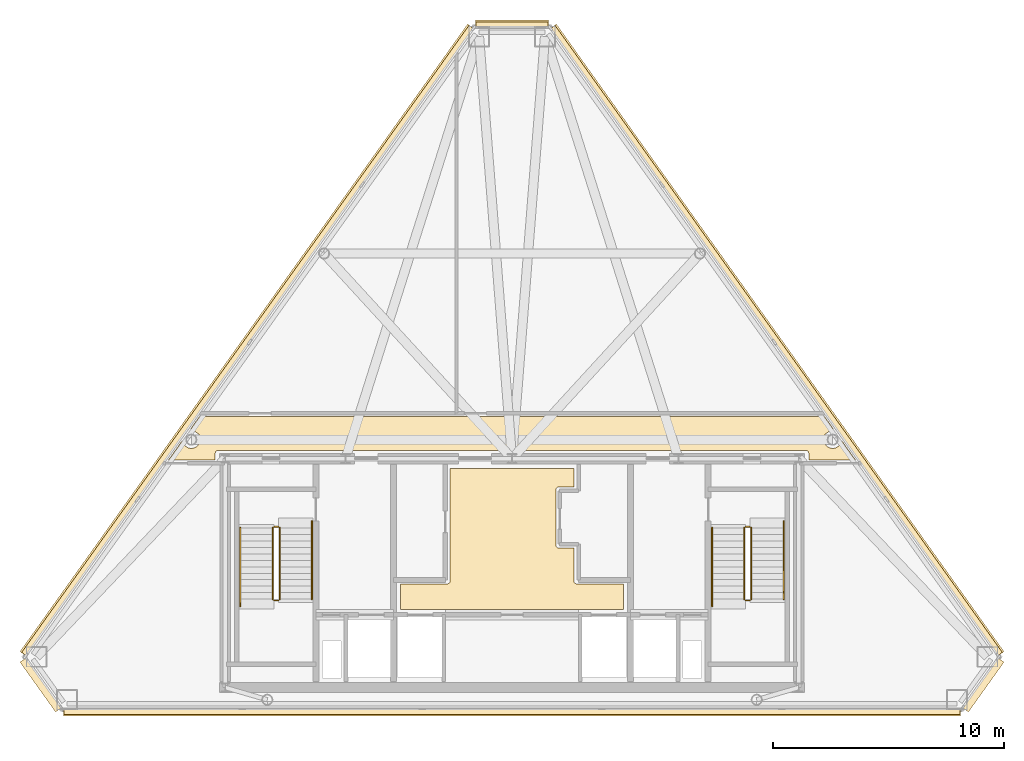
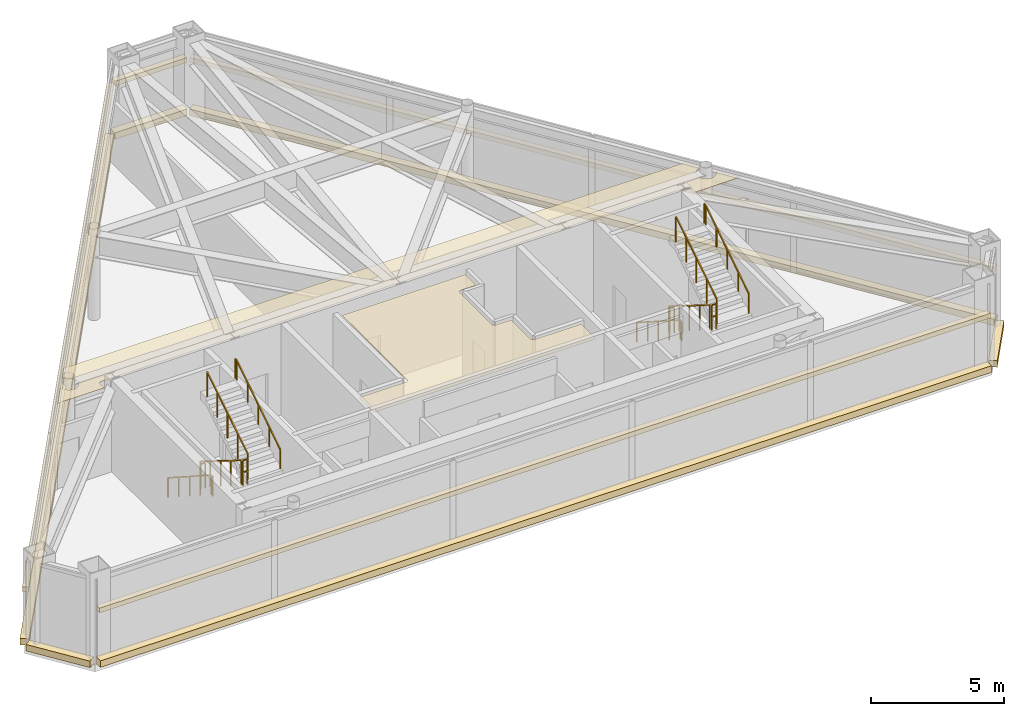
# One storey, part 5 of 5: 12 coverings, 12 railings.
"""IFC4 building model written with IfcOpenShell, lengths in metres."""

from ifc_helpers import new_model, si_unit, direction, frame, origin, origin_2d, place, context, subcontext, project, spatial, polyline, rectangle, outline, extrude, material, layer, layer_set, type_object, element, save


model = new_model("IFC4")

# Units and contexts
model_context = context("Model", 3, precision=1e-05, world=origin(), true_north=direction((0.0, 1.0)))
body_context = subcontext(model_context, "Body", "Model", "MODEL_VIEW")
ifc_project = project(units=[si_unit("LENGTHUNIT", "METRE"), si_unit("AREAUNIT", "SQUARE_METRE"), si_unit("VOLUMEUNIT", "CUBIC_METRE"), si_unit("PLANEANGLEUNIT", "RADIAN"), si_unit("MASSUNIT", "GRAM", prefix="KILO")], contexts=[model_context])

# Site, building, storey
site_placement = place(None, origin())
site = spatial("IfcSite", under=ifc_project, at=site_placement, CompositionType="ELEMENT")
building_placement = place(site_placement, origin())
building = spatial("IfcBuilding", under=site, at=building_placement, Name="Talgorran Terracotta Tower", CompositionType="ELEMENT")
storey_placement = place(building_placement, frame((0.0, 0.0, 297.60009765625)))
storey = spatial("IfcBuildingStorey", under=building, at=storey_placement, Name="L78", CompositionType="ELEMENT", Elevation=297.60009765625)

# Coverings
ifc_material_1 = material(Name="Kiln-Fired Terracotta Ochre Ceramic", Category="masonry")
ifc_layer_1 = layer(ifc_material_1, 0.179931640625, Name="COV_BAGUETTE_TERRACOTTA_SCREEN")
ifc_layer_set_1 = layer_set([ifc_layer_1], Name="Kiln-Fired Terracotta Ochre Ceramic")
covering_type_1 = type_object("IfcCoveringType", Name="COV_BAGUETTE_TERRACOTTA_SCREEN", PredefinedType="CLADDING", material=ifc_layer_set_1)
covering_1_placement = place(storey_placement, frame((0.0, -15.1298828125, 2.41015625), z_axis=(0.0, 0.0, 1.0), x_axis=(1.0, 0.0, 0.0)))
element("IfcCovering", 1, at=covering_1_placement, inside=storey, type_object=covering_type_1, Name="L78 Terracotta Baguette Solar Screen Assembly F1", PredefinedType="CLADDING", context=body_context, shape_type="SweptSolid", body=[
    extrude(rectangle(XDim=38.758056640625, YDim=0.260009765625, at=origin_2d()), origin(), (0.0, 0.0, 1.0), 0.219970703125),
])
covering_2_placement = place(storey_placement, frame((11.4267578125, 0.898193359375, 2.41015625), z_axis=(0.0, 0.0, 1.0), x_axis=(-0.580759790281, 0.814074975658, 0.0)))
element("IfcCovering", 2, at=covering_2_placement, inside=storey, type_object=covering_type_1, Name="L78 Terracotta Baguette Solar Screen Assembly F3", PredefinedType="CLADDING", context=body_context, shape_type="SweptSolid", body=[
    extrude(rectangle(XDim=33.30810546875, YDim=0.260009765625, at=origin_2d()), origin(), (0.0, 0.0, 1.0), 0.219970703125),
])
covering_3_placement = place(storey_placement, frame((0.0, 14.5546875, 2.41015625), z_axis=(0.0, 0.0, 1.0), x_axis=(-1.0, 0.0, 0.0)))
element("IfcCovering", 3, at=covering_3_placement, inside=storey, type_object=covering_type_1, Name="L78 Terracotta Baguette Solar Screen Assembly F4", PredefinedType="CLADDING", context=body_context, shape_type="SweptSolid", body=[
    extrude(rectangle(XDim=3.12548828125, YDim=0.260009765625, at=origin_2d()), origin(), (0.0, 0.0, 1.0), 0.219970703125),
])
covering_4_placement = place(storey_placement, frame((-11.4267578125, 0.898193359375, 2.41015625), z_axis=(0.0, 0.0, 1.0), x_axis=(-0.580759790281, -0.814074975658, 0.0)))
element("IfcCovering", 4, at=covering_4_placement, inside=storey, type_object=covering_type_1, Name="L78 Terracotta Baguette Solar Screen Assembly F5", PredefinedType="CLADDING", context=body_context, shape_type="SweptSolid", body=[
    extrude(rectangle(XDim=33.30810546875, YDim=0.260009765625, at=origin_2d()), origin(), (0.0, 0.0, 1.0), 0.219970703125),
])
ifc_material_2 = material(Name="Mineral Fibre Acoustic Tile")
ifc_layer_2 = layer(ifc_material_2, 0.02490234375, Name="COV_CEIL_ACOUSTIC")
ifc_layer_set_2 = layer_set([ifc_layer_2], Name="Mineral Fibre Acoustic Tile")
covering_type_2 = type_object("IfcCoveringType", Name="COV_CEIL_ACOUSTIC", PredefinedType="CEILING", material=ifc_layer_set_2)
covering_5_placement = place(storey_placement, frame((0.0, 0.0, 3.789794921875)))
element("IfcCovering", 5, at=covering_5_placement, inside=storey, type_object=covering_type_2, Name="CEIL-L78-2", PredefinedType="CEILING", context=body_context, shape_type="SweptSolid", body=[
    extrude(outline(polyline([(-13.5185546875, -3.23828125), (-13.517822265625, -3.2294921875), (-13.51806640625, -3.2177734375), (-13.519287109375, -3.2060546875), (-13.52197265625, -3.194580078125), (-13.525634765625, -3.183349609375), (-13.5302734375, -3.172607421875), (-13.535888671875, -3.162109375), (-13.542724609375, -3.152587890625), (-13.55029296875, -3.1435546875), (-13.558837890625, -3.135498046875), (-13.568115234375, -3.128173828125), (-13.885498046875, -2.901611328125), (-13.51708984375, -2.385009765625), (13.51708984375, -2.385009765625), (13.885498046875, -2.901611328125), (13.568115234375, -3.128173828125), (13.558837890625, -3.135498046875), (13.55029296875, -3.1435546875), (13.542724609375, -3.152587890625), (13.535888671875, -3.162109375), (13.5302734375, -3.172607421875), (13.525634765625, -3.183349609375), (13.52197265625, -3.194580078125), (13.519287109375, -3.2060546875), (13.51806640625, -3.2177734375), (13.517822265625, -3.2294921875), (13.5185546875, -3.23828125), (13.51806640625, -3.239501953125), (13.51416015625, -3.250732421875), (13.51123046875, -3.26220703125), (13.491455078125, -3.361083984375), (13.48974609375, -3.37255859375), (13.4892578125, -3.384521484375), (13.48974609375, -3.396240234375), (13.491455078125, -3.40771484375), (13.51123046875, -3.506591796875), (13.51416015625, -3.51806640625), (13.51806640625, -3.529296875), (13.523193359375, -3.539794921875), (13.529052734375, -3.5498046875), (13.585205078125, -3.6337890625), (13.592041015625, -3.643310546875), (13.60009765625, -3.652099609375), (13.60888671875, -3.659912109375), (13.618408203125, -3.6669921875), (13.7021484375, -3.722900390625), (13.71240234375, -3.72900390625), (13.722900390625, -3.734130859375), (13.73388671875, -3.738037109375), (13.745361328125, -3.740966796875), (13.84423828125, -3.760498046875), (13.85595703125, -3.76220703125), (13.86767578125, -3.762939453125), (13.87939453125, -3.76220703125), (13.89111328125, -3.760498046875), (13.989990234375, -3.740966796875), (14.00146484375, -3.738037109375), (14.012451171875, -3.734130859375), (14.023193359375, -3.72900390625), (14.033203125, -3.722900390625), (14.1171875, -3.6669921875), (14.126708984375, -3.659912109375), (14.135498046875, -3.652099609375), (14.143310546875, -3.643310546875), (14.150390625, -3.6337890625), (14.206298828125, -3.5498046875), (14.21240234375, -3.539794921875), (14.21728515625, -3.529296875), (14.22119140625, -3.51806640625), (14.22412109375, -3.506591796875), (14.226806640625, -3.493408203125), (14.280517578125, -3.455078125), (14.8583984375, -4.264892578125), (12.8349609375, -4.264892578125), (12.8349609375, -3.978515625), (12.834228515625, -3.966796875), (12.83251953125, -3.955078125), (12.829833984375, -3.94384765625), (12.82568359375, -3.9326171875), (12.822509765625, -3.9248046875), (12.817626953125, -3.914306640625), (12.8115234375, -3.904296875), (12.8046875, -3.894775390625), (12.797119140625, -3.88623046875), (12.788330078125, -3.87841796875), (12.779052734375, -3.871337890625), (12.77197265625, -3.866455078125), (12.76171875, -3.860107421875), (12.7509765625, -3.85498046875), (12.73974609375, -3.850830078125), (12.728271484375, -3.847900390625), (12.71630859375, -3.84619140625), (12.704345703125, -3.845703125), (7.432861328125, -3.844970703125), (6.968017578125, -3.843017578125), (6.967529296875, -3.843017578125), (0.232666015625, -3.844970703125), (-0.23193359375, -3.843017578125), (-0.232421875, -3.843017578125), (-6.96728515625, -3.844970703125), (-7.431884765625, -3.843017578125), (-7.4326171875, -3.843017578125), (-12.699951171875, -3.844970703125), (-12.711669921875, -3.845703125), (-12.723388671875, -3.847412109375), (-12.734619140625, -3.85009765625), (-12.742919921875, -3.8525390625), (-12.75390625, -3.8564453125), (-12.7646484375, -3.861572265625), (-12.77490234375, -3.86767578125), (-12.7841796875, -3.87451171875), (-12.79296875, -3.882568359375), (-12.80078125, -3.89111328125), (-12.806396484375, -3.89794921875), (-12.813720703125, -3.907470703125), (-12.819580078125, -3.91748046875), (-12.82470703125, -3.927978515625), (-12.82861328125, -3.939208984375), (-12.83154296875, -3.95068359375), (-12.833251953125, -3.962158203125), (-12.833984375, -3.97412109375), (-12.834716796875, -4.264892578125), (-14.8583984375, -4.264892578125), (-14.280517578125, -3.455078125), (-14.226806640625, -3.493408203125), (-14.22412109375, -3.506591796875), (-14.22119140625, -3.51806640625), (-14.21728515625, -3.529296875), (-14.21240234375, -3.539794921875), (-14.206298828125, -3.5498046875), (-14.150390625, -3.6337890625), (-14.143310546875, -3.643310546875), (-14.135498046875, -3.652099609375), (-14.126708984375, -3.659912109375), (-14.1171875, -3.6669921875), (-14.033203125, -3.722900390625), (-14.023193359375, -3.72900390625), (-14.012451171875, -3.734130859375), (-14.00146484375, -3.738037109375), (-13.989990234375, -3.740966796875), (-13.89111328125, -3.760498046875), (-13.87939453125, -3.76220703125), (-13.86767578125, -3.762939453125), (-13.85595703125, -3.76220703125), (-13.84423828125, -3.760498046875), (-13.745361328125, -3.740966796875), (-13.73388671875, -3.738037109375), (-13.722900390625, -3.734130859375), (-13.71240234375, -3.72900390625), (-13.7021484375, -3.722900390625), (-13.618408203125, -3.6669921875), (-13.60888671875, -3.659912109375), (-13.60009765625, -3.652099609375), (-13.592041015625, -3.643310546875), (-13.585205078125, -3.6337890625), (-13.529052734375, -3.5498046875), (-13.523193359375, -3.539794921875), (-13.51806640625, -3.529296875), (-13.51416015625, -3.51806640625), (-13.51123046875, -3.506591796875), (-13.491455078125, -3.40771484375), (-13.48974609375, -3.396240234375), (-13.4892578125, -3.384521484375), (-13.48974609375, -3.37255859375), (-13.491455078125, -3.361083984375), (-13.51123046875, -3.26220703125), (-13.51416015625, -3.250732421875), (-13.51806640625, -3.239501953125), (-13.5185546875, -3.23828125)])), origin(), (0.0, 0.0, 1.0), 0.02001953125),
])
ifc_material_3 = material(Name="Flush Moisture-Resistant Plaster")
ifc_layer_3 = layer(ifc_material_3, 0.01806640625, Name="COV_CEIL_PLASTER")
ifc_layer_set_3 = layer_set([ifc_layer_3], Name="Flush Moisture-Resistant Plaster")
covering_type_3 = type_object("IfcCoveringType", Name="COV_CEIL_PLASTER", PredefinedType="CEILING", material=ifc_layer_set_3)
covering_6_placement = place(storey_placement, frame((0.0, 0.0, 3.789794921875)))
element("IfcCovering", 6, at=covering_6_placement, inside=storey, type_object=covering_type_3, Name="CEIL-L78-1", PredefinedType="CEILING", context=body_context, shape_type="SweptSolid", body=[
    extrude(outline(polyline([(4.830078125, -9.6201171875), (4.830078125, -10.72998046875), (-4.830078125, -10.72998046875), (-4.830078125, -9.6201171875), (-2.800048828125, -9.6201171875), (-2.7880859375, -9.619384765625), (-2.776611328125, -9.61767578125), (-2.76513671875, -9.61474609375), (-2.754150390625, -9.61083984375), (-2.743408203125, -9.605712890625), (-2.7333984375, -9.599853515625), (-2.723876953125, -9.5927734375), (-2.715087890625, -9.5849609375), (-2.707275390625, -9.576171875), (-2.7001953125, -9.566650390625), (-2.694091796875, -9.556640625), (-2.689208984375, -9.5458984375), (-2.685302734375, -9.534912109375), (-2.682373046875, -9.5234375), (-2.6806640625, -9.51171875), (-2.679931640625, -9.5), (-2.679931640625, -4.6201171875), (2.679931640625, -4.6201171875), (2.679931640625, -5.429931640625), (2.02001953125, -5.429931640625), (2.00830078125, -5.4306640625), (1.99658203125, -5.432373046875), (1.985107421875, -5.435302734375), (1.97412109375, -5.439208984375), (1.96337890625, -5.444091796875), (1.953369140625, -5.4501953125), (1.94384765625, -5.457275390625), (1.93505859375, -5.465087890625), (1.92724609375, -5.473876953125), (1.920166015625, -5.4833984375), (1.914306640625, -5.493408203125), (1.9091796875, -5.504150390625), (1.9052734375, -5.51513671875), (1.90234375, -5.526611328125), (1.900634765625, -5.5380859375), (1.89990234375, -5.550048828125), (1.89990234375, -7.949951171875), (1.900634765625, -7.9619140625), (1.90234375, -7.973388671875), (1.9052734375, -7.98486328125), (1.9091796875, -7.995849609375), (1.914306640625, -8.006591796875), (1.920166015625, -8.0166015625), (1.92724609375, -8.026123046875), (1.93505859375, -8.034912109375), (1.94384765625, -8.042724609375), (1.953369140625, -8.0498046875), (1.96337890625, -8.055908203125), (1.97412109375, -8.060791015625), (1.985107421875, -8.064697265625), (1.99658203125, -8.067626953125), (2.00830078125, -8.0693359375), (2.02001953125, -8.070068359375), (2.679931640625, -8.070068359375), (2.679931640625, -9.5), (2.6806640625, -9.51171875), (2.682373046875, -9.5234375), (2.685302734375, -9.534912109375), (2.689208984375, -9.5458984375), (2.694091796875, -9.556640625), (2.7001953125, -9.566650390625), (2.707275390625, -9.576171875), (2.715087890625, -9.5849609375), (2.723876953125, -9.5927734375), (2.7333984375, -9.599853515625), (2.743408203125, -9.605712890625), (2.754150390625, -9.61083984375), (2.76513671875, -9.61474609375), (2.776611328125, -9.61767578125), (2.7880859375, -9.619384765625), (2.800048828125, -9.6201171875), (4.830078125, -9.6201171875)])), origin(), (0.0, 0.0, 1.0), 0.02001953125),
])
ifc_material_4 = material(Name="Honed Limestone Cladding", Category="masonry")
ifc_layer_4 = layer(ifc_material_4, 0.094970703125, Name="COV_PORTAL_LIME")
ifc_layer_set_4 = layer_set([ifc_layer_4], Name="Honed Limestone Cladding")
covering_type_4 = type_object("IfcCoveringType", Name="COV_PORTAL_LIME", PredefinedType="CLADDING", material=ifc_layer_set_4)
covering_7_placement = place(storey_placement, frame((-20.367431640625, -13.983642578125, -0.0400390625), z_axis=(0.0, 0.0, 1.0), x_axis=(0.580759790281, -0.814074975658, 0.0)))
element("IfcCovering", 7, at=covering_7_placement, inside=storey, type_object=covering_type_4, Name="L78 Striped Postmodern Portal Cladding Band F0", PredefinedType="CLADDING", context=body_context, shape_type="SweptSolid", body=[
    extrude(rectangle(XDim=2.650390625, YDim=0.340087890625, at=origin_2d()), origin(), (0.0, 0.0, 1.0), 0.300048828125),
])
covering_8_placement = place(storey_placement, frame((0.0, -15.169921875, -0.0400390625), z_axis=(0.0, 0.0, 1.0), x_axis=(1.0, 0.0, 0.0)))
element("IfcCovering", 8, at=covering_8_placement, inside=storey, type_object=covering_type_4, Name="L78 Striped Postmodern Portal Cladding Band F1", PredefinedType="CLADDING", context=body_context, shape_type="SweptSolid", body=[
    extrude(rectangle(XDim=38.778076171875, YDim=0.340087890625, at=origin_2d()), origin(), (0.0, 0.0, 1.0), 0.300048828125),
])
covering_9_placement = place(storey_placement, frame((20.367431640625, -13.983642578125, -0.0400390625), z_axis=(0.0, 0.0, 1.0), x_axis=(0.580759790281, 0.814074975658, 0.0)))
element("IfcCovering", 9, at=covering_9_placement, inside=storey, type_object=covering_type_4, Name="L78 Striped Postmodern Portal Cladding Band F2", PredefinedType="CLADDING", context=body_context, shape_type="SweptSolid", body=[
    extrude(rectangle(XDim=2.650390625, YDim=0.340087890625, at=origin_2d()), origin(), (0.0, 0.0, 1.0), 0.300048828125),
])
covering_10_placement = place(storey_placement, frame((11.45947265625, 0.92138671875, -0.0400390625), z_axis=(0.0, 0.0, 1.0), x_axis=(-0.580759790281, 0.814074975658, 0.0)))
element("IfcCovering", 10, at=covering_10_placement, inside=storey, type_object=covering_type_4, Name="L78 Striped Postmodern Portal Cladding Band F3", PredefinedType="CLADDING", context=body_context, shape_type="SweptSolid", body=[
    extrude(rectangle(XDim=33.327880859375, YDim=0.340087890625, at=origin_2d()), origin(), (0.0, 0.0, 1.0), 0.300048828125),
])
covering_11_placement = place(storey_placement, frame((0.0, 14.594482421875, -0.0400390625), z_axis=(0.0, 0.0, 1.0), x_axis=(-1.0, 0.0, 0.0)))
element("IfcCovering", 11, at=covering_11_placement, inside=storey, type_object=covering_type_4, Name="L78 Striped Postmodern Portal Cladding Band F4", PredefinedType="CLADDING", context=body_context, shape_type="SweptSolid", body=[
    extrude(rectangle(XDim=3.1455078125, YDim=0.340087890625, at=origin_2d()), origin(), (0.0, 0.0, 1.0), 0.300048828125),
])
covering_12_placement = place(storey_placement, frame((-11.45947265625, 0.92138671875, -0.0400390625), z_axis=(0.0, 0.0, 1.0), x_axis=(-0.580759790281, -0.814074975658, 0.0)))
element("IfcCovering", 12, at=covering_12_placement, inside=storey, type_object=covering_type_4, Name="L78 Striped Postmodern Portal Cladding Band F5", PredefinedType="CLADDING", context=body_context, shape_type="SweptSolid", body=[
    extrude(rectangle(XDim=33.327880859375, YDim=0.340087890625, at=origin_2d()), origin(), (0.0, 0.0, 1.0), 0.300048828125),
])

# Railings
ifc_material_5 = material(Name="Steel S355 (300PLUS)", Category="steel")
railing_type_1 = type_object("IfcRailingType", Name="RL_HANDRAIL_920", PredefinedType="HANDRAIL", material=ifc_material_5)
railing_1_placement = place(storey_placement, frame((-11.75, -7.199951171875, 0.1748046875)))
element("IfcRailing", 13, at=railing_1_placement, inside=storey, type_object=railing_type_1, Name="L78 ST-01 stair handrail 1", PredefinedType="HANDRAIL", context=body_context, shape_type="SweptSolid", body=[
    extrude(rectangle(XDim=0.048095703125, YDim=0.048095703125, at=origin_2d()), frame((0.0, 0.0, 0.89599609375), z_axis=(0.0, -0.84066466721, 0.541556014928), x_axis=(1.0, 0.0, 0.0)), (0.0, 0.0, 1.0), 3.8779296875),
    extrude(rectangle(XDim=0.048095703125, YDim=0.048095703125, at=origin_2d()), frame((0.0, -3.260009765625, 2.99609375), z_axis=(0.0, -1.0, 0.0), x_axis=(1.0, 0.0, 0.0)), (0.0, 0.0, 1.0), 0.1201171875),
    extrude(rectangle(XDim=0.0419921875, YDim=0.0419921875, at=origin_2d()), origin(), (0.0, 0.0, 1.0), 0.871826171875),
    extrude(rectangle(XDim=0.0419921875, YDim=0.0419921875, at=origin_2d()), frame((0.0, -0.81494140625, 0.52490234375)), (0.0, 0.0, 1.0), 0.871826171875),
    extrude(rectangle(XDim=0.0419921875, YDim=0.0419921875, at=origin_2d()), frame((0.0, -1.6298828125, 1.050048828125)), (0.0, 0.0, 1.0), 0.871826171875),
    extrude(rectangle(XDim=0.0419921875, YDim=0.0419921875, at=origin_2d()), frame((0.0, -2.445068359375, 1.5751953125)), (0.0, 0.0, 1.0), 0.871826171875),
    extrude(rectangle(XDim=0.0419921875, YDim=0.0419921875, at=origin_2d()), frame((0.0, -3.260009765625, 2.10009765625)), (0.0, 0.0, 1.0), 0.871826171875),
    extrude(rectangle(XDim=0.0419921875, YDim=0.0419921875, at=origin_2d()), frame((0.0, -3.380126953125, 2.10009765625)), (0.0, 0.0, 1.0), 0.871826171875),
])
railing_2_placement = place(storey_placement, frame((-8.64990234375, -10.280029296875, 2.27490234375)))
element("IfcRailing", 14, at=railing_2_placement, inside=storey, type_object=railing_type_1, Name="L78 ST-01 stair handrail 2", PredefinedType="HANDRAIL", context=body_context, shape_type="SweptSolid", body=[
    extrude(rectangle(XDim=0.048095703125, YDim=0.048095703125, at=origin_2d()), frame((0.0, 0.0, 0.89599609375), z_axis=(0.0, 0.84066466721, 0.541556014928), x_axis=(-1.0, 0.0, 0.0)), (0.0, 0.0, 1.0), 3.8779296875),
    extrude(rectangle(XDim=0.048095703125, YDim=0.048095703125, at=origin_2d()), frame((0.0, 3.260009765625, 2.99609375), z_axis=(0.0, 1.0, 0.0), x_axis=(-1.0, 0.0, 0.0)), (0.0, 0.0, 1.0), 0.1201171875),
    extrude(rectangle(XDim=0.0419921875, YDim=0.0419921875, at=origin_2d()), origin(), (0.0, 0.0, 1.0), 0.871826171875),
    extrude(rectangle(XDim=0.0419921875, YDim=0.0419921875, at=origin_2d()), frame((0.0, 0.81494140625, 0.52490234375)), (0.0, 0.0, 1.0), 0.871826171875),
    extrude(rectangle(XDim=0.0419921875, YDim=0.0419921875, at=origin_2d()), frame((0.0, 1.6298828125, 1.050048828125)), (0.0, 0.0, 1.0), 0.871826171875),
    extrude(rectangle(XDim=0.0419921875, YDim=0.0419921875, at=origin_2d()), frame((0.0, 2.445068359375, 1.5751953125)), (0.0, 0.0, 1.0), 0.871826171875),
    extrude(rectangle(XDim=0.0419921875, YDim=0.0419921875, at=origin_2d()), frame((0.0, 3.260009765625, 2.10009765625)), (0.0, 0.0, 1.0), 0.871826171875),
    extrude(rectangle(XDim=0.0419921875, YDim=0.0419921875, at=origin_2d()), frame((0.0, 3.380126953125, 2.10009765625)), (0.0, 0.0, 1.0), 0.871826171875),
])
railing_3_placement = place(storey_placement, frame((8.64990234375, -7.199951171875, 0.1748046875)))
element("IfcRailing", 15, at=railing_3_placement, inside=storey, type_object=railing_type_1, Name="L78 ST-02 stair handrail 1", PredefinedType="HANDRAIL", context=body_context, shape_type="SweptSolid", body=[
    extrude(rectangle(XDim=0.048095703125, YDim=0.048095703125, at=origin_2d()), frame((0.0, 0.0, 0.89599609375), z_axis=(0.0, -0.84066466721, 0.541556014928), x_axis=(1.0, 0.0, 0.0)), (0.0, 0.0, 1.0), 3.8779296875),
    extrude(rectangle(XDim=0.048095703125, YDim=0.048095703125, at=origin_2d()), frame((0.0, -3.260009765625, 2.99609375), z_axis=(0.0, -1.0, 0.0), x_axis=(1.0, 0.0, 0.0)), (0.0, 0.0, 1.0), 0.1201171875),
    extrude(rectangle(XDim=0.0419921875, YDim=0.0419921875, at=origin_2d()), origin(), (0.0, 0.0, 1.0), 0.871826171875),
    extrude(rectangle(XDim=0.0419921875, YDim=0.0419921875, at=origin_2d()), frame((0.0, -0.81494140625, 0.52490234375)), (0.0, 0.0, 1.0), 0.871826171875),
    extrude(rectangle(XDim=0.0419921875, YDim=0.0419921875, at=origin_2d()), frame((0.0, -1.6298828125, 1.050048828125)), (0.0, 0.0, 1.0), 0.871826171875),
    extrude(rectangle(XDim=0.0419921875, YDim=0.0419921875, at=origin_2d()), frame((0.0, -2.445068359375, 1.5751953125)), (0.0, 0.0, 1.0), 0.871826171875),
    extrude(rectangle(XDim=0.0419921875, YDim=0.0419921875, at=origin_2d()), frame((0.0, -3.260009765625, 2.10009765625)), (0.0, 0.0, 1.0), 0.871826171875),
    extrude(rectangle(XDim=0.0419921875, YDim=0.0419921875, at=origin_2d()), frame((0.0, -3.380126953125, 2.10009765625)), (0.0, 0.0, 1.0), 0.871826171875),
])
railing_4_placement = place(storey_placement, frame((11.75, -10.280029296875, 2.27490234375)))
element("IfcRailing", 16, at=railing_4_placement, inside=storey, type_object=railing_type_1, Name="L78 ST-02 stair handrail 2", PredefinedType="HANDRAIL", context=body_context, shape_type="SweptSolid", body=[
    extrude(rectangle(XDim=0.048095703125, YDim=0.048095703125, at=origin_2d()), frame((0.0, 0.0, 0.89599609375), z_axis=(0.0, 0.84066466721, 0.541556014928), x_axis=(-1.0, 0.0, 0.0)), (0.0, 0.0, 1.0), 3.8779296875),
    extrude(rectangle(XDim=0.048095703125, YDim=0.048095703125, at=origin_2d()), frame((0.0, 3.260009765625, 2.99609375), z_axis=(0.0, 1.0, 0.0), x_axis=(-1.0, 0.0, 0.0)), (0.0, 0.0, 1.0), 0.1201171875),
    extrude(rectangle(XDim=0.0419921875, YDim=0.0419921875, at=origin_2d()), origin(), (0.0, 0.0, 1.0), 0.871826171875),
    extrude(rectangle(XDim=0.0419921875, YDim=0.0419921875, at=origin_2d()), frame((0.0, 0.81494140625, 0.52490234375)), (0.0, 0.0, 1.0), 0.871826171875),
    extrude(rectangle(XDim=0.0419921875, YDim=0.0419921875, at=origin_2d()), frame((0.0, 1.6298828125, 1.050048828125)), (0.0, 0.0, 1.0), 0.871826171875),
    extrude(rectangle(XDim=0.0419921875, YDim=0.0419921875, at=origin_2d()), frame((0.0, 2.445068359375, 1.5751953125)), (0.0, 0.0, 1.0), 0.871826171875),
    extrude(rectangle(XDim=0.0419921875, YDim=0.0419921875, at=origin_2d()), frame((0.0, 3.260009765625, 2.10009765625)), (0.0, 0.0, 1.0), 0.871826171875),
    extrude(rectangle(XDim=0.0419921875, YDim=0.0419921875, at=origin_2d()), frame((0.0, 3.380126953125, 2.10009765625)), (0.0, 0.0, 1.0), 0.871826171875),
])
railing_type_2 = type_object("IfcRailingType", Name="RL_STAIR_GUARD", PredefinedType="GUARDRAIL", material=ifc_material_5)
railing_5_placement = place(storey_placement, frame((-10.35009765625, -7.199951171875, 0.1748046875)))
element("IfcRailing", 17, at=railing_5_placement, inside=storey, type_object=railing_type_2, Name="L78 ST-01 stair guard 1", PredefinedType="GUARDRAIL", context=body_context, shape_type="SweptSolid", body=[
    extrude(rectangle(XDim=0.048095703125, YDim=0.048095703125, at=origin_2d()), frame((0.0, 0.0, 1.15576171875), z_axis=(0.0, -0.847998304005, 0.529998940003), x_axis=(1.0, 0.0, 0.0)), (0.0, 0.0, 1.0), 3.632080078125),
    extrude(rectangle(XDim=0.0419921875, YDim=0.0419921875, at=origin_2d()), origin(), (0.0, 0.0, 1.0), 1.1318359375),
    extrude(rectangle(XDim=0.0419921875, YDim=0.0419921875, at=origin_2d()), frame((0.0, -0.77001953125, 0.481201171875)), (0.0, 0.0, 1.0), 1.1318359375),
    extrude(rectangle(XDim=0.0419921875, YDim=0.0419921875, at=origin_2d()), frame((0.0, -1.5400390625, 0.96240234375)), (0.0, 0.0, 1.0), 1.1318359375),
    extrude(rectangle(XDim=0.0419921875, YDim=0.0419921875, at=origin_2d()), frame((0.0, -2.31005859375, 1.44384765625)), (0.0, 0.0, 1.0), 1.1318359375),
    extrude(rectangle(XDim=0.0419921875, YDim=0.0419921875, at=origin_2d()), frame((0.0, -3.080078125, 1.925048828125)), (0.0, 0.0, 1.0), 1.1318359375),
])
railing_6_placement = place(storey_placement, frame((-10.300048828125, -10.330078125, 2.099853515625)))
element("IfcRailing", 18, at=railing_6_placement, inside=storey, type_object=railing_type_2, Name="L78 ST-01 stair guard 2", PredefinedType="GUARDRAIL", context=body_context, shape_type="SweptSolid", body=[
    extrude(rectangle(XDim=0.048095703125, YDim=0.048095703125, at=origin_2d()), frame((0.0, 0.0, 1.15576171875), z_axis=(1.0, 0.0, 0.0), x_axis=(0.0, 1.0, 0.0)), (0.0, 0.0, 1.0), 0.199951171875),
    extrude(rectangle(XDim=0.048095703125, YDim=0.048095703125, at=origin_2d()), frame((0.0, 0.0, 0.613525390625), z_axis=(1.0, 0.0, 0.0), x_axis=(0.0, 1.0, 0.0)), (0.0, 0.0, 1.0), 0.199951171875),
    extrude(rectangle(XDim=0.0419921875, YDim=0.0419921875, at=origin_2d()), origin(), (0.0, 0.0, 1.0), 1.1318359375),
    extrude(rectangle(XDim=0.0419921875, YDim=0.0419921875, at=origin_2d()), frame((0.199951171875, 0.0, 0.0)), (0.0, 0.0, 1.0), 1.1318359375),
])
railing_7_placement = place(storey_placement, frame((-10.050048828125, -10.280029296875, 2.27490234375)))
element("IfcRailing", 19, at=railing_7_placement, inside=storey, type_object=railing_type_2, Name="L78 ST-01 stair guard 3", PredefinedType="GUARDRAIL", context=body_context, shape_type="SweptSolid", body=[
    extrude(rectangle(XDim=0.048095703125, YDim=0.048095703125, at=origin_2d()), frame((0.0, 0.0, 1.15576171875), z_axis=(0.0, 0.847998304005, 0.529998940003), x_axis=(-1.0, 0.0, 0.0)), (0.0, 0.0, 1.0), 3.632080078125),
    extrude(rectangle(XDim=0.0419921875, YDim=0.0419921875, at=origin_2d()), origin(), (0.0, 0.0, 1.0), 1.1318359375),
    extrude(rectangle(XDim=0.0419921875, YDim=0.0419921875, at=origin_2d()), frame((0.0, 0.77001953125, 0.481201171875)), (0.0, 0.0, 1.0), 1.1318359375),
    extrude(rectangle(XDim=0.0419921875, YDim=0.0419921875, at=origin_2d()), frame((0.0, 1.5400390625, 0.96240234375)), (0.0, 0.0, 1.0), 1.1318359375),
    extrude(rectangle(XDim=0.0419921875, YDim=0.0419921875, at=origin_2d()), frame((0.0, 2.31005859375, 1.44384765625)), (0.0, 0.0, 1.0), 1.1318359375),
    extrude(rectangle(XDim=0.0419921875, YDim=0.0419921875, at=origin_2d()), frame((0.0, 3.080078125, 1.925048828125)), (0.0, 0.0, 1.0), 1.1318359375),
])
railing_8_placement = place(storey_placement, frame((-10.300048828125, -7.14990234375, 0.0)))
element("IfcRailing", 20, at=railing_8_placement, inside=storey, type_object=railing_type_2, Name="L78 ST-01 stair guard 4", PredefinedType="GUARDRAIL", context=body_context, shape_type="SweptSolid", body=[
    extrude(rectangle(XDim=0.048095703125, YDim=0.048095703125, at=origin_2d()), frame((0.0, 0.0, 1.15576171875), z_axis=(1.0, 0.0, 0.0), x_axis=(0.0, 1.0, 0.0)), (0.0, 0.0, 1.0), 0.199951171875),
    extrude(rectangle(XDim=0.048095703125, YDim=0.048095703125, at=origin_2d()), frame((0.0, 0.0, 0.613525390625), z_axis=(1.0, 0.0, 0.0), x_axis=(0.0, 1.0, 0.0)), (0.0, 0.0, 1.0), 0.199951171875),
    extrude(rectangle(XDim=0.0419921875, YDim=0.0419921875, at=origin_2d()), origin(), (0.0, 0.0, 1.0), 1.1318359375),
    extrude(rectangle(XDim=0.0419921875, YDim=0.0419921875, at=origin_2d()), frame((0.199951171875, 0.0, 0.0)), (0.0, 0.0, 1.0), 1.1318359375),
])
railing_9_placement = place(storey_placement, frame((10.050048828125, -7.199951171875, 0.1748046875)))
element("IfcRailing", 21, at=railing_9_placement, inside=storey, type_object=railing_type_2, Name="L78 ST-02 stair guard 1", PredefinedType="GUARDRAIL", context=body_context, shape_type="SweptSolid", body=[
    extrude(rectangle(XDim=0.048095703125, YDim=0.048095703125, at=origin_2d()), frame((0.0, 0.0, 1.15576171875), z_axis=(0.0, -0.847998304005, 0.529998940003), x_axis=(1.0, 0.0, 0.0)), (0.0, 0.0, 1.0), 3.632080078125),
    extrude(rectangle(XDim=0.0419921875, YDim=0.0419921875, at=origin_2d()), origin(), (0.0, 0.0, 1.0), 1.1318359375),
    extrude(rectangle(XDim=0.0419921875, YDim=0.0419921875, at=origin_2d()), frame((0.0, -0.77001953125, 0.481201171875)), (0.0, 0.0, 1.0), 1.1318359375),
    extrude(rectangle(XDim=0.0419921875, YDim=0.0419921875, at=origin_2d()), frame((0.0, -1.5400390625, 0.96240234375)), (0.0, 0.0, 1.0), 1.1318359375),
    extrude(rectangle(XDim=0.0419921875, YDim=0.0419921875, at=origin_2d()), frame((0.0, -2.31005859375, 1.44384765625)), (0.0, 0.0, 1.0), 1.1318359375),
    extrude(rectangle(XDim=0.0419921875, YDim=0.0419921875, at=origin_2d()), frame((0.0, -3.080078125, 1.925048828125)), (0.0, 0.0, 1.0), 1.1318359375),
])
railing_10_placement = place(storey_placement, frame((10.10009765625, -10.330078125, 2.099853515625)))
element("IfcRailing", 22, at=railing_10_placement, inside=storey, type_object=railing_type_2, Name="L78 ST-02 stair guard 2", PredefinedType="GUARDRAIL", context=body_context, shape_type="SweptSolid", body=[
    extrude(rectangle(XDim=0.048095703125, YDim=0.048095703125, at=origin_2d()), frame((0.0, 0.0, 1.15576171875), z_axis=(1.0, 0.0, 0.0), x_axis=(0.0, 1.0, 0.0)), (0.0, 0.0, 1.0), 0.199951171875),
    extrude(rectangle(XDim=0.048095703125, YDim=0.048095703125, at=origin_2d()), frame((0.0, 0.0, 0.613525390625), z_axis=(1.0, 0.0, 0.0), x_axis=(0.0, 1.0, 0.0)), (0.0, 0.0, 1.0), 0.199951171875),
    extrude(rectangle(XDim=0.0419921875, YDim=0.0419921875, at=origin_2d()), origin(), (0.0, 0.0, 1.0), 1.1318359375),
    extrude(rectangle(XDim=0.0419921875, YDim=0.0419921875, at=origin_2d()), frame((0.199951171875, 0.0, 0.0)), (0.0, 0.0, 1.0), 1.1318359375),
])
railing_11_placement = place(storey_placement, frame((10.35009765625, -10.280029296875, 2.27490234375)))
element("IfcRailing", 23, at=railing_11_placement, inside=storey, type_object=railing_type_2, Name="L78 ST-02 stair guard 3", PredefinedType="GUARDRAIL", context=body_context, shape_type="SweptSolid", body=[
    extrude(rectangle(XDim=0.048095703125, YDim=0.048095703125, at=origin_2d()), frame((0.0, 0.0, 1.15576171875), z_axis=(0.0, 0.847998304005, 0.529998940003), x_axis=(-1.0, 0.0, 0.0)), (0.0, 0.0, 1.0), 3.632080078125),
    extrude(rectangle(XDim=0.0419921875, YDim=0.0419921875, at=origin_2d()), origin(), (0.0, 0.0, 1.0), 1.1318359375),
    extrude(rectangle(XDim=0.0419921875, YDim=0.0419921875, at=origin_2d()), frame((0.0, 0.77001953125, 0.481201171875)), (0.0, 0.0, 1.0), 1.1318359375),
    extrude(rectangle(XDim=0.0419921875, YDim=0.0419921875, at=origin_2d()), frame((0.0, 1.5400390625, 0.96240234375)), (0.0, 0.0, 1.0), 1.1318359375),
    extrude(rectangle(XDim=0.0419921875, YDim=0.0419921875, at=origin_2d()), frame((0.0, 2.31005859375, 1.44384765625)), (0.0, 0.0, 1.0), 1.1318359375),
    extrude(rectangle(XDim=0.0419921875, YDim=0.0419921875, at=origin_2d()), frame((0.0, 3.080078125, 1.925048828125)), (0.0, 0.0, 1.0), 1.1318359375),
])
railing_12_placement = place(storey_placement, frame((10.10009765625, -7.14990234375, 0.0)))
element("IfcRailing", 24, at=railing_12_placement, inside=storey, type_object=railing_type_2, Name="L78 ST-02 stair guard 4", PredefinedType="GUARDRAIL", context=body_context, shape_type="SweptSolid", body=[
    extrude(rectangle(XDim=0.048095703125, YDim=0.048095703125, at=origin_2d()), frame((0.0, 0.0, 1.15576171875), z_axis=(1.0, 0.0, 0.0), x_axis=(0.0, 1.0, 0.0)), (0.0, 0.0, 1.0), 0.199951171875),
    extrude(rectangle(XDim=0.048095703125, YDim=0.048095703125, at=origin_2d()), frame((0.0, 0.0, 0.613525390625), z_axis=(1.0, 0.0, 0.0), x_axis=(0.0, 1.0, 0.0)), (0.0, 0.0, 1.0), 0.199951171875),
    extrude(rectangle(XDim=0.0419921875, YDim=0.0419921875, at=origin_2d()), origin(), (0.0, 0.0, 1.0), 1.1318359375),
    extrude(rectangle(XDim=0.0419921875, YDim=0.0419921875, at=origin_2d()), frame((0.199951171875, 0.0, 0.0)), (0.0, 0.0, 1.0), 1.1318359375),
])

save(model, "model.ifc")
